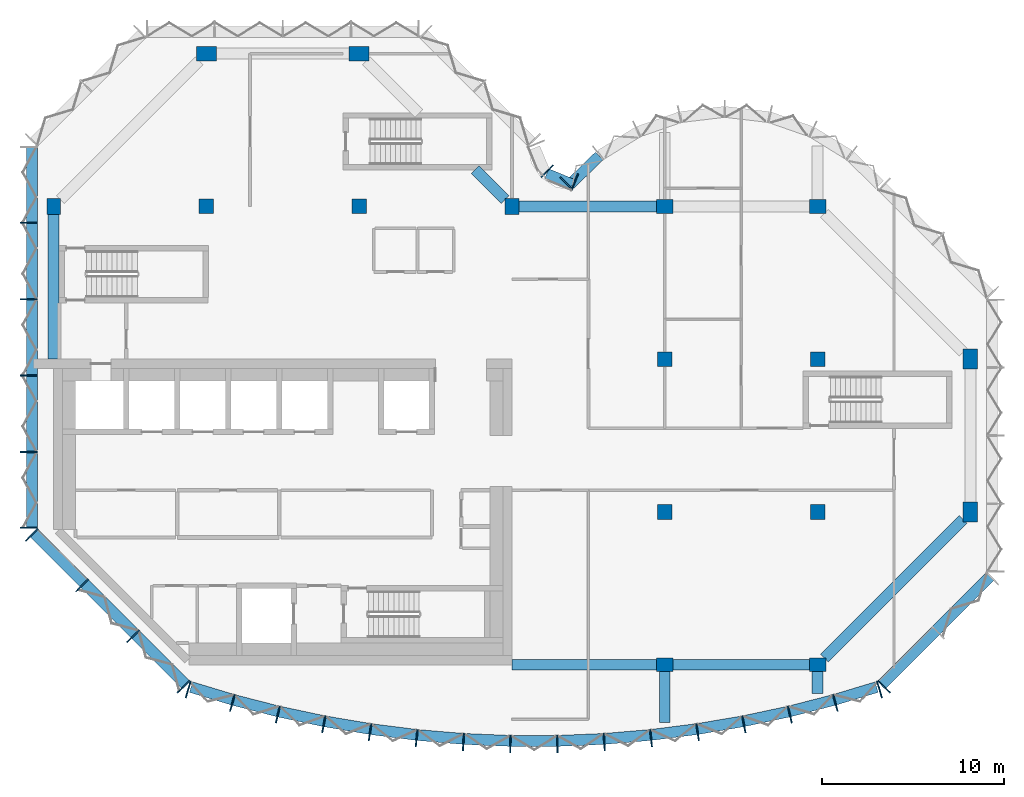
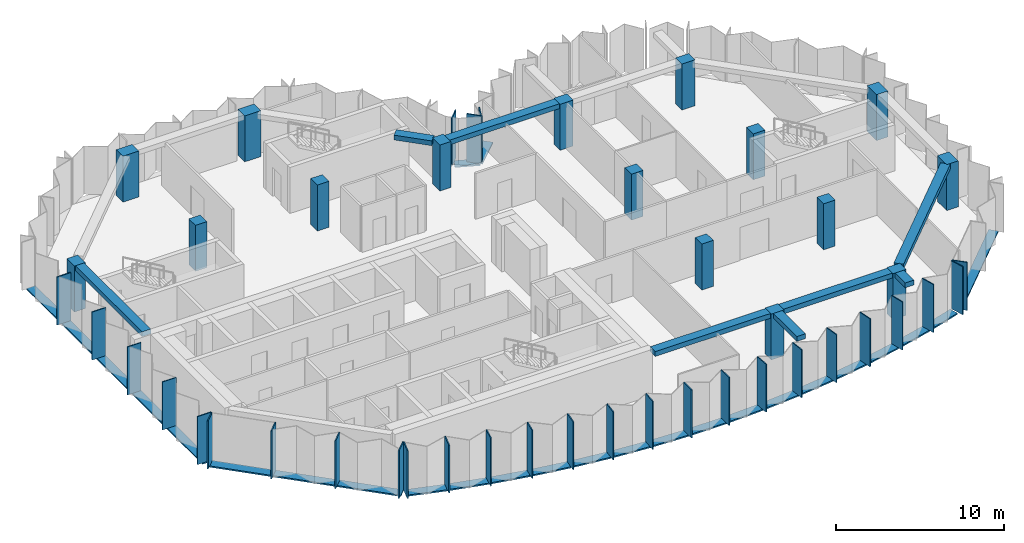
# One storey, part 1 of 9: 49 members, 16 columns, 8 beams, 6 elements without a shape of their own.
"""IFC4 building model written with IfcOpenShell, lengths in metres."""

from ifc_helpers import new_model, si_unit, direction, frame, origin, origin_2d, place, context, subcontext, project, spatial, rectangle, extrude, material, material_profile, profile_set, type_object, element, aggregate, save


model = new_model("IFC4")

# Units and contexts
model_context = context("Model", 3, precision=1e-05, world=origin(), true_north=direction((0.0, 1.0)))
body_context = subcontext(model_context, "Body", "Model", "MODEL_VIEW")
ifc_project = project(units=[si_unit("LENGTHUNIT", "METRE"), si_unit("AREAUNIT", "SQUARE_METRE"), si_unit("VOLUMEUNIT", "CUBIC_METRE"), si_unit("PLANEANGLEUNIT", "RADIAN"), si_unit("MASSUNIT", "GRAM", prefix="KILO")], contexts=[model_context])

# Site, building, storey
site_placement = place(None, origin())
site = spatial("IfcSite", under=ifc_project, at=site_placement, CompositionType="ELEMENT")
building_placement = place(site_placement, origin())
building = spatial("IfcBuilding", under=site, at=building_placement, Name="Brevane Broadcast Tower", CompositionType="ELEMENT")
storey_placement = place(building_placement, frame((0.0, 0.0, 248.10009765625)))
storey = spatial("IfcBuildingStorey", under=building, at=storey_placement, Name="L63", CompositionType="ELEMENT", Elevation=248.10009765625)

# Columns
ifc_material_1 = material(Name="Concrete C50/60", Category="concrete")
ifc_material_profile_1 = material_profile(ifc_material_1, rectangle(XDim=0.75, YDim=0.89990234375, at=origin_2d()), Name="RC 750x900")
ifc_profile_set_1 = profile_set([ifc_material_profile_1], Name="Concrete C50/60")
column_type_1 = type_object("IfcColumnType", Name="RC COLUMN EDGE 750x900 C50/60", PredefinedType="COLUMN", material=ifc_profile_set_1)
for number, where, z_axis, x_axis, name in (
    (1, (0.0, 25.199951171875, 0.0), (0.0, 0.0, 1.0), (1.0, 0.0, 0.0), "CE14 1/D"),
    (2, (25.199951171875, 25.199951171875, 0.0), (0.0, 0.0, 1.0), (1.0, 0.0, 0.0), "CE14 4/D"),
    (3, (33.60009765625, 0.0, 0.0), (0.0, 0.0, 1.0), (0.0, 1.0, 0.0), "CE14 5/A"),
    (4, (33.60009765625, 25.199951171875, 0.0), (0.0, 0.0, 1.0), (0.0, 1.0, 0.0), "CE14 5/D"),
    (5, (42.0, 0.0, 0.0), (0.0, 0.0, 1.0), (0.0, 1.0, 0.0), "CE14 6/A"),
    (6, (42.0, 25.199951171875, 0.0), (0.0, 0.0, 1.0), (0.0, 1.0, 0.0), "CE14 6/D"),
):
    element("IfcColumn", number, at=place(storey_placement, frame(where, z_axis=z_axis, x_axis=x_axis)), inside=storey, type_object=column_type_1, Name=name, PredefinedType="COLUMN", context=body_context, shape_type="SweptSolid", body=[
        extrude(rectangle(XDim=0.75, YDim=0.89990234375, at=origin_2d()), origin(), (0.0, 0.0, 1.0), 3.349853515625),
    ])
ifc_material_profile_2 = material_profile(ifc_material_1, rectangle(XDim=0.800048828125, YDim=0.800048828125, at=origin_2d()), Name="RC 800x800")
ifc_profile_set_2 = profile_set([ifc_material_profile_2], Name="Concrete C50/60")
column_type_2 = type_object("IfcColumnType", Name="RC COLUMN INTERIOR 800x800 C50/60", PredefinedType="COLUMN", material=ifc_profile_set_2)
for number, where, z_axis, x_axis, name in (
    (7, (8.39990234375, 25.199951171875, 0.0), (0.0, 0.0, 1.0), (1.0, 0.0, 0.0), "CI15 2/D"),
    (8, (16.800048828125, 25.199951171875, 0.0), (0.0, 0.0, 1.0), (1.0, 0.0, 0.0), "CI15 3/D"),
    (9, (33.60009765625, 8.39990234375, 0.0), (0.0, 0.0, 1.0), (1.0, 0.0, 0.0), "CI15 5/B"),
    (10, (33.60009765625, 16.800048828125, 0.0), (0.0, 0.0, 1.0), (1.0, 0.0, 0.0), "CI15 5/C"),
    (11, (42.0, 8.39990234375, 0.0), (0.0, 0.0, 1.0), (1.0, 0.0, 0.0), "CI15 6/B"),
    (12, (42.0, 16.800048828125, 0.0), (0.0, 0.0, 1.0), (1.0, 0.0, 0.0), "CI15 6/C"),
):
    element("IfcColumn", number, at=place(storey_placement, frame(where, z_axis=z_axis, x_axis=x_axis)), inside=storey, type_object=column_type_2, Name=name, PredefinedType="COLUMN", context=body_context, shape_type="SweptSolid", body=[
        extrude(rectangle(XDim=0.800048828125, YDim=0.800048828125, at=origin_2d()), origin(), (0.0, 0.0, 1.0), 3.349853515625),
    ])
ifc_material_profile_3 = material_profile(ifc_material_1, rectangle(XDim=0.800048828125, YDim=1.10009765625, at=origin_2d()), Name="RC 800x1100")
ifc_profile_set_3 = profile_set([ifc_material_profile_3], Name="Concrete C50/60")
column_type_3 = type_object("IfcColumnType", Name="RC COLUMN WING-END 800x1100 C50/60", PredefinedType="COLUMN", material=ifc_profile_set_3)
for number, where, z_axis, x_axis, name in (
    (13, (8.39990234375, 33.60009765625, 0.0), (0.0, 0.0, 1.0), (0.0, 1.0, 0.0), "CW16 2/E"),
    (14, (16.800048828125, 33.60009765625, 0.0), (0.0, 0.0, 1.0), (0.0, 1.0, 0.0), "CW16 3/E"),
    (15, (50.39990234375, 8.39990234375, 0.0), (0.0, 0.0, 1.0), (1.0, 0.0, 0.0), "CW16 7/B"),
    (16, (50.39990234375, 16.800048828125, 0.0), (0.0, 0.0, 1.0), (1.0, 0.0, 0.0), "CW16 7/C"),
):
    element("IfcColumn", number, at=place(storey_placement, frame(where, z_axis=z_axis, x_axis=x_axis)), inside=storey, type_object=column_type_3, Name=name, PredefinedType="COLUMN", context=body_context, shape_type="SweptSolid", body=[
        extrude(rectangle(XDim=0.800048828125, YDim=1.10009765625, at=origin_2d()), origin(), (0.0, 0.0, 1.0), 3.349853515625),
    ])

# Curtain wall, members
ifc_material_2 = material(Name="Aluminium 6063-T6 bronze anodised", Category="aluminium")
curtain_wall_type = type_object("IfcCurtainWallType", Name="CW-1 curtain wall", PredefinedType="NOTDEFINED", material=ifc_material_2)
curtain_wall_1_placement = place(storey_placement, origin())
curtain_wall_1 = element("IfcCurtainWall", 17, at=curtain_wall_1_placement, inside=storey, type_object=curtain_wall_type, Name="CW-1 typical tilted unit L63 south bow", PredefinedType="NOTDEFINED")
ifc_material_profile_4 = material_profile(ifc_material_2, rectangle(XDim=0.949951171875, YDim=0.070068359375, at=origin_2d()), Name="RECT 70x950")
ifc_profile_set_4 = profile_set([ifc_material_profile_4], Name="Aluminium 6063-T6 bronze anodised")
member_type_1 = type_object("IfcMemberType", Name="CW-1 mullion 70x950", PredefinedType="MULLION", material=ifc_profile_set_4)
member_1_placement = place(storey_placement, frame((7.396240234375, -1.36474609375, -0.150146484375), z_axis=(0.0, 0.0, 1.0), x_axis=(0.288968122518, 0.957338719664, 0.0)))
member_1 = element("IfcMember", 18, at=member_1_placement, type_object=member_type_1, Name="CW-1 mullion", PredefinedType="MULLION", context=body_context, shape_type="SweptSolid", body=[
    extrude(rectangle(XDim=0.949951171875, YDim=0.070068359375, at=origin_2d()), origin(), (0.0, 0.0, 1.0), 3.5),
])
member_2_placement = place(storey_placement, frame((9.824951171875, -2.097900390625, -0.150146484375), z_axis=(0.0, 0.0, 1.0), x_axis=(0.268915519935, 0.963163767559, 0.0)))
member_2 = element("IfcMember", 19, at=member_2_placement, type_object=member_type_1, Name="CW-1 mullion", PredefinedType="MULLION", context=body_context, shape_type="SweptSolid", body=[
    extrude(rectangle(XDim=0.949951171875, YDim=0.070068359375, at=origin_2d()), origin(), (0.0, 0.0, 1.0), 3.5),
])
member_3_placement = place(storey_placement, frame((12.325439453125, -2.739990234375, -0.150146484375), z_axis=(0.0, 0.0, 1.0), x_axis=(0.228467410001, 0.97355156133, 0.0)))
member_3 = element("IfcMember", 20, at=member_3_placement, type_object=member_type_1, Name="CW-1 mullion", PredefinedType="MULLION", context=body_context, shape_type="SweptSolid", body=[
    extrude(rectangle(XDim=0.949951171875, YDim=0.070068359375, at=origin_2d()), origin(), (0.0, 0.0, 1.0), 3.5),
])
member_4_placement = place(storey_placement, frame((14.8505859375, -3.277099609375, -0.150146484375), z_axis=(0.0, 0.0, 1.0), x_axis=(0.187620976959, 0.982241502384, 0.0)))
member_4 = element("IfcMember", 21, at=member_4_placement, type_object=member_type_1, Name="CW-1 mullion", PredefinedType="MULLION", context=body_context, shape_type="SweptSolid", body=[
    extrude(rectangle(XDim=0.949951171875, YDim=0.070068359375, at=origin_2d()), origin(), (0.0, 0.0, 1.0), 3.5),
])
member_5_placement = place(storey_placement, frame((17.395751953125, -3.70849609375, -0.150146484375), z_axis=(0.0, 0.0, 1.0), x_axis=(0.146447392256, 0.989218459847, 0.0)))
member_5 = element("IfcMember", 22, at=member_5_placement, type_object=member_type_1, Name="CW-1 mullion", PredefinedType="MULLION", context=body_context, shape_type="SweptSolid", body=[
    extrude(rectangle(XDim=0.949951171875, YDim=0.070068359375, at=origin_2d()), origin(), (0.0, 0.0, 1.0), 3.5),
])
member_6_placement = place(storey_placement, frame((19.95703125, -4.033203125, -0.150146484375), z_axis=(0.0, 0.0, 1.0), x_axis=(0.105018395305, 0.994470279419, 0.0)))
member_6 = element("IfcMember", 23, at=member_6_placement, type_object=member_type_1, Name="CW-1 mullion", PredefinedType="MULLION", context=body_context, shape_type="SweptSolid", body=[
    extrude(rectangle(XDim=0.949951171875, YDim=0.070068359375, at=origin_2d()), origin(), (0.0, 0.0, 1.0), 3.5),
])
member_7_placement = place(storey_placement, frame((22.529296875, -4.250732421875, -0.150146484375), z_axis=(0.0, 0.0, 1.0), x_axis=(0.063406169479, 0.99798780437, 0.0)))
member_7 = element("IfcMember", 24, at=member_7_placement, type_object=member_type_1, Name="CW-1 mullion", PredefinedType="MULLION", context=body_context, shape_type="SweptSolid", body=[
    extrude(rectangle(XDim=0.949951171875, YDim=0.070068359375, at=origin_2d()), origin(), (0.0, 0.0, 1.0), 3.5),
])
member_8_placement = place(storey_placement, frame((25.10888671875, -4.360595703125, -0.150146484375), z_axis=(0.0, 0.0, 1.0), x_axis=(0.021281828243, 0.999773516246, 0.0)))
member_8 = element("IfcMember", 25, at=member_8_placement, type_object=member_type_1, Name="CW-1 mullion", PredefinedType="MULLION", context=body_context, shape_type="SweptSolid", body=[
    extrude(rectangle(XDim=0.949951171875, YDim=0.070068359375, at=origin_2d()), origin(), (0.0, 0.0, 1.0), 3.5),
])
member_9_placement = place(storey_placement, frame((27.691162109375, -4.360595703125, -0.150146484375), z_axis=(0.0, 0.0, 1.0), x_axis=(-0.021281828243, 0.999773516246, 0.0)))
member_9 = element("IfcMember", 26, at=member_9_placement, type_object=member_type_1, Name="CW-1 mullion", PredefinedType="MULLION", context=body_context, shape_type="SweptSolid", body=[
    extrude(rectangle(XDim=0.949951171875, YDim=0.070068359375, at=origin_2d()), origin(), (0.0, 0.0, 1.0), 3.5),
])
member_10_placement = place(storey_placement, frame((30.2705078125, -4.250732421875, -0.150146484375), z_axis=(0.0, 0.0, 1.0), x_axis=(-0.063406169479, 0.99798780437, 0.0)))
member_10 = element("IfcMember", 27, at=member_10_placement, type_object=member_type_1, Name="CW-1 mullion", PredefinedType="MULLION", context=body_context, shape_type="SweptSolid", body=[
    extrude(rectangle(XDim=0.949951171875, YDim=0.070068359375, at=origin_2d()), origin(), (0.0, 0.0, 1.0), 3.5),
])
member_11_placement = place(storey_placement, frame((32.843017578125, -4.033203125, -0.150146484375), z_axis=(0.0, 0.0, 1.0), x_axis=(-0.105018395305, 0.994470279419, 0.0)))
member_11 = element("IfcMember", 28, at=member_11_placement, type_object=member_type_1, Name="CW-1 mullion", PredefinedType="MULLION", context=body_context, shape_type="SweptSolid", body=[
    extrude(rectangle(XDim=0.949951171875, YDim=0.070068359375, at=origin_2d()), origin(), (0.0, 0.0, 1.0), 3.5),
])
member_12_placement = place(storey_placement, frame((35.404296875, -3.70849609375, -0.150146484375), z_axis=(0.0, 0.0, 1.0), x_axis=(-0.146447392256, 0.989218459847, 0.0)))
member_12 = element("IfcMember", 29, at=member_12_placement, type_object=member_type_1, Name="CW-1 mullion", PredefinedType="MULLION", context=body_context, shape_type="SweptSolid", body=[
    extrude(rectangle(XDim=0.949951171875, YDim=0.070068359375, at=origin_2d()), origin(), (0.0, 0.0, 1.0), 3.5),
])
member_13_placement = place(storey_placement, frame((37.949462890625, -3.277099609375, -0.150146484375), z_axis=(0.0, 0.0, 1.0), x_axis=(-0.187620976959, 0.982241502384, 0.0)))
member_13 = element("IfcMember", 30, at=member_13_placement, type_object=member_type_1, Name="CW-1 mullion", PredefinedType="MULLION", context=body_context, shape_type="SweptSolid", body=[
    extrude(rectangle(XDim=0.949951171875, YDim=0.070068359375, at=origin_2d()), origin(), (0.0, 0.0, 1.0), 3.5),
])
member_14_placement = place(storey_placement, frame((40.474609375, -2.739990234375, -0.150146484375), z_axis=(0.0, 0.0, 1.0), x_axis=(-0.228467410001, 0.97355156133, 0.0)))
member_14 = element("IfcMember", 31, at=member_14_placement, type_object=member_type_1, Name="CW-1 mullion", PredefinedType="MULLION", context=body_context, shape_type="SweptSolid", body=[
    extrude(rectangle(XDim=0.949951171875, YDim=0.070068359375, at=origin_2d()), origin(), (0.0, 0.0, 1.0), 3.5),
])
member_15_placement = place(storey_placement, frame((42.97509765625, -2.097900390625, -0.150146484375), z_axis=(0.0, 0.0, 1.0), x_axis=(-0.268915519935, 0.963163767559, 0.0)))
member_15 = element("IfcMember", 32, at=member_15_placement, type_object=member_type_1, Name="CW-1 mullion", PredefinedType="MULLION", context=body_context, shape_type="SweptSolid", body=[
    extrude(rectangle(XDim=0.949951171875, YDim=0.070068359375, at=origin_2d()), origin(), (0.0, 0.0, 1.0), 3.5),
])
member_16_placement = place(storey_placement, frame((45.40380859375, -1.36474609375, -0.150146484375), z_axis=(0.0, 0.0, 1.0), x_axis=(-0.288968122518, 0.957338719664, 0.0)))
member_16 = element("IfcMember", 33, at=member_16_placement, type_object=member_type_1, Name="CW-1 mullion", PredefinedType="MULLION", context=body_context, shape_type="SweptSolid", body=[
    extrude(rectangle(XDim=0.949951171875, YDim=0.070068359375, at=origin_2d()), origin(), (0.0, 0.0, 1.0), 3.5),
])

# Curtain wall, member
curtain_wall_2_placement = place(storey_placement, origin())
curtain_wall_2 = element("IfcCurtainWall", 34, at=curtain_wall_2_placement, inside=storey, type_object=curtain_wall_type, Name="CW-1 typical tilted unit L63 south-east chamfer", PredefinedType="NOTDEFINED")
member_17_placement = place(storey_placement, frame((45.66064453125, -1.211181640625, -0.150146484375), z_axis=(0.0, 0.0, 1.0), x_axis=(-0.707106781187, 0.707106781187, 0.0)))
member_17 = element("IfcMember", 35, at=member_17_placement, type_object=member_type_1, Name="CW-1 mullion", PredefinedType="MULLION", context=body_context, shape_type="SweptSolid", body=[
    extrude(rectangle(XDim=0.949951171875, YDim=0.070068359375, at=origin_2d()), origin(), (0.0, 0.0, 1.0), 3.5),
])

curtain_wall_3_placement = place(storey_placement, origin())
curtain_wall_3 = element("IfcCurtainWall", 36, at=curtain_wall_3_placement, inside=storey, type_object=curtain_wall_type, Name="CW-1 typical tilted unit L63 east bow", PredefinedType="NOTDEFINED")
member_18_placement = place(storey_placement, frame((28.194091796875, 26.465087890625, -0.150146484375), z_axis=(0.0, 0.0, 1.0), x_axis=(0.696812089895, -0.717253728729, 0.0)))
member_18 = element("IfcMember", 37, at=member_18_placement, type_object=member_type_1, Name="CW-1 mullion", PredefinedType="MULLION", context=body_context, shape_type="SweptSolid", body=[
    extrude(rectangle(XDim=0.949951171875, YDim=0.070068359375, at=origin_2d()), origin(), (0.0, 0.0, 1.0), 3.5),
])

# Curtain wall, members
curtain_wall_4_placement = place(storey_placement, origin())
curtain_wall_4 = element("IfcCurtainWall", 38, at=curtain_wall_4_placement, inside=storey, type_object=curtain_wall_type, Name="CW-1 typical tilted unit L63 inner corner", PredefinedType="NOTDEFINED")
member_19_placement = place(storey_placement, frame((28.6494140625, 26.55224609375, -0.150146484375), z_axis=(0.0, 0.0, 1.0), x_axis=(-0.382683432365, -0.923879532511, 0.0)))
member_19 = element("IfcMember", 39, at=member_19_placement, type_object=member_type_1, Name="CW-1 mullion", PredefinedType="MULLION", context=body_context, shape_type="SweptSolid", body=[
    extrude(rectangle(XDim=0.949951171875, YDim=0.070068359375, at=origin_2d()), origin(), (0.0, 0.0, 1.0), 3.5),
])
member_20_placement = place(storey_placement, frame((27.138916015625, 27.138916015625, -0.150146484375), z_axis=(0.0, 0.0, 1.0), x_axis=(-0.707106781187, -0.707106781187, 0.0)))
member_20 = element("IfcMember", 40, at=member_20_placement, type_object=member_type_1, Name="CW-1 mullion", PredefinedType="MULLION", context=body_context, shape_type="SweptSolid", body=[
    extrude(rectangle(XDim=0.949951171875, YDim=0.070068359375, at=origin_2d()), origin(), (0.0, 0.0, 1.0), 3.5),
])

curtain_wall_5_placement = place(storey_placement, origin())
curtain_wall_5 = element("IfcCurtainWall", 41, at=curtain_wall_5_placement, inside=storey, type_object=curtain_wall_type, Name="CW-1 typical tilted unit L63 west face", PredefinedType="NOTDEFINED")
member_21_placement = place(storey_placement, frame((-1.375, 24.300048828125, -0.150146484375), z_axis=(0.0, 0.0, 1.0), x_axis=(1.0, 0.0, 0.0)))
member_21 = element("IfcMember", 42, at=member_21_placement, type_object=member_type_1, Name="CW-1 mullion", PredefinedType="MULLION", context=body_context, shape_type="SweptSolid", body=[
    extrude(rectangle(XDim=0.949951171875, YDim=0.070068359375, at=origin_2d()), origin(), (0.0, 0.0, 1.0), 3.5),
])
member_22_placement = place(storey_placement, frame((-1.375, 20.10009765625, -0.150146484375), z_axis=(0.0, 0.0, 1.0), x_axis=(1.0, 0.0, 0.0)))
member_22 = element("IfcMember", 43, at=member_22_placement, type_object=member_type_1, Name="CW-1 mullion", PredefinedType="MULLION", context=body_context, shape_type="SweptSolid", body=[
    extrude(rectangle(XDim=0.949951171875, YDim=0.070068359375, at=origin_2d()), origin(), (0.0, 0.0, 1.0), 3.5),
])
member_23_placement = place(storey_placement, frame((-1.375, 15.89990234375, -0.150146484375), z_axis=(0.0, 0.0, 1.0), x_axis=(1.0, 0.0, 0.0)))
member_23 = element("IfcMember", 44, at=member_23_placement, type_object=member_type_1, Name="CW-1 mullion", PredefinedType="MULLION", context=body_context, shape_type="SweptSolid", body=[
    extrude(rectangle(XDim=0.949951171875, YDim=0.070068359375, at=origin_2d()), origin(), (0.0, 0.0, 1.0), 3.5),
])
member_24_placement = place(storey_placement, frame((-1.375, 11.699951171875, -0.150146484375), z_axis=(0.0, 0.0, 1.0), x_axis=(1.0, 0.0, 0.0)))
member_24 = element("IfcMember", 45, at=member_24_placement, type_object=member_type_1, Name="CW-1 mullion", PredefinedType="MULLION", context=body_context, shape_type="SweptSolid", body=[
    extrude(rectangle(XDim=0.949951171875, YDim=0.070068359375, at=origin_2d()), origin(), (0.0, 0.0, 1.0), 3.5),
])
member_25_placement = place(storey_placement, frame((-1.375, 7.534912109375, -0.150146484375), z_axis=(0.0, 0.0, 1.0), x_axis=(1.0, 0.0, 0.0)))
member_25 = element("IfcMember", 46, at=member_25_placement, type_object=member_type_1, Name="CW-1 mullion", PredefinedType="MULLION", context=body_context, shape_type="SweptSolid", body=[
    extrude(rectangle(XDim=0.949951171875, YDim=0.070068359375, at=origin_2d()), origin(), (0.0, 0.0, 1.0), 3.5),
])

curtain_wall_6_placement = place(storey_placement, origin())
curtain_wall_6 = element("IfcCurtainWall", 47, at=curtain_wall_6_placement, inside=storey, type_object=curtain_wall_type, Name="CW-1 typical tilted unit L63 south-west chamfer", PredefinedType="NOTDEFINED")
member_26_placement = place(storey_placement, frame((-1.211181640625, 7.139404296875, -0.150146484375), z_axis=(0.0, 0.0, 1.0), x_axis=(0.707106781187, 0.707106781187, 0.0)))
member_26 = element("IfcMember", 48, at=member_26_placement, type_object=member_type_1, Name="CW-1 mullion", PredefinedType="MULLION", context=body_context, shape_type="SweptSolid", body=[
    extrude(rectangle(XDim=0.949951171875, YDim=0.070068359375, at=origin_2d()), origin(), (0.0, 0.0, 1.0), 3.5),
])
member_27_placement = place(storey_placement, frame((1.564208984375, 4.364013671875, -0.150146484375), z_axis=(0.0, 0.0, 1.0), x_axis=(0.707106781187, 0.707106781187, 0.0)))
member_27 = element("IfcMember", 49, at=member_27_placement, type_object=member_type_1, Name="CW-1 mullion", PredefinedType="MULLION", context=body_context, shape_type="SweptSolid", body=[
    extrude(rectangle(XDim=0.949951171875, YDim=0.070068359375, at=origin_2d()), origin(), (0.0, 0.0, 1.0), 3.5),
])
member_28_placement = place(storey_placement, frame((4.364013671875, 1.564208984375, -0.150146484375), z_axis=(0.0, 0.0, 1.0), x_axis=(0.707106781187, 0.707106781187, 0.0)))
member_28 = element("IfcMember", 50, at=member_28_placement, type_object=member_type_1, Name="CW-1 mullion", PredefinedType="MULLION", context=body_context, shape_type="SweptSolid", body=[
    extrude(rectangle(XDim=0.949951171875, YDim=0.070068359375, at=origin_2d()), origin(), (0.0, 0.0, 1.0), 3.5),
])
member_29_placement = place(storey_placement, frame((7.139404296875, -1.211181640625, -0.150146484375), z_axis=(0.0, 0.0, 1.0), x_axis=(0.707106781187, 0.707106781187, 0.0)))
member_29 = element("IfcMember", 51, at=member_29_placement, type_object=member_type_1, Name="CW-1 mullion", PredefinedType="MULLION", context=body_context, shape_type="SweptSolid", body=[
    extrude(rectangle(XDim=0.949951171875, YDim=0.070068359375, at=origin_2d()), origin(), (0.0, 0.0, 1.0), 3.5),
])

# Member
ifc_material_profile_5 = material_profile(ifc_material_2, rectangle(XDim=0.60009765625, YDim=0.10009765625, at=origin_2d()), Name="RECT 100x600")
ifc_profile_set_5 = profile_set([ifc_material_profile_5], Name="Aluminium 6063-T6 bronze anodised")
member_type_2 = type_object("IfcMemberType", Name="CW-1 transom 100x600", PredefinedType="USERDEFINED", material=ifc_profile_set_5)
member_30_placement = place(storey_placement, frame((7.553955078125, -1.229736328125, -0.2001953125), z_axis=(0.957362578524, -0.288889067362, 0.0), x_axis=(0.288889067362, 0.957362578524, 0.0)))
member_30 = element("IfcMember", 52, at=member_30_placement, type_object=member_type_2, Name="CW-1 transom", ObjectType="TRANSOM", PredefinedType="USERDEFINED", context=body_context, shape_type="SweptSolid", body=[
    extrude(rectangle(XDim=0.60009765625, YDim=0.10009765625, at=origin_2d()), origin(), (0.0, 0.0, 1.0), 2.411865234375),
])

member_31_placement = place(storey_placement, frame((9.8759765625, -1.930419921875, -0.2001953125), z_axis=(0.968569727699, -0.248742201052, 0.0), x_axis=(0.248742201052, 0.968569727699, 0.0)))
member_31 = element("IfcMember", 53, at=member_31_placement, type_object=member_type_2, Name="CW-1 transom", ObjectType="TRANSOM", PredefinedType="USERDEFINED", context=body_context, shape_type="SweptSolid", body=[
    extrude(rectangle(XDim=0.60009765625, YDim=0.10009765625, at=origin_2d()), origin(), (0.0, 0.0, 1.0), 2.561767578125),
])

member_32_placement = place(storey_placement, frame((12.370361328125, -2.57080078125, -0.2001953125), z_axis=(0.978117897278, -0.208051385536, 0.0), x_axis=(0.208051385536, 0.978117897278, 0.0)))
member_32 = element("IfcMember", 54, at=member_32_placement, type_object=member_type_2, Name="CW-1 transom", ObjectType="TRANSOM", PredefinedType="USERDEFINED", context=body_context, shape_type="SweptSolid", body=[
    extrude(rectangle(XDim=0.60009765625, YDim=0.10009765625, at=origin_2d()), origin(), (0.0, 0.0, 1.0), 2.561767578125),
])

member_33_placement = place(storey_placement, frame((14.88916015625, -3.1064453125, -0.2001953125), z_axis=(0.985947338221, -0.167056416383, 0.0), x_axis=(0.167056416383, 0.985947338221, 0.0)))
member_33 = element("IfcMember", 55, at=member_33_placement, type_object=member_type_2, Name="CW-1 transom", ObjectType="TRANSOM", PredefinedType="USERDEFINED", context=body_context, shape_type="SweptSolid", body=[
    extrude(rectangle(XDim=0.60009765625, YDim=0.10009765625, at=origin_2d()), origin(), (0.0, 0.0, 1.0), 2.561767578125),
])

member_34_placement = place(storey_placement, frame((17.428466796875, -3.536376953125, -0.2001953125), z_axis=(0.99206678005, -0.12571198798, 0.0), x_axis=(0.12571198798, 0.99206678005, 0.0)))
member_34 = element("IfcMember", 56, at=member_34_placement, type_object=member_type_2, Name="CW-1 transom", ObjectType="TRANSOM", PredefinedType="USERDEFINED", context=body_context, shape_type="SweptSolid", body=[
    extrude(rectangle(XDim=0.60009765625, YDim=0.10009765625, at=origin_2d()), origin(), (0.0, 0.0, 1.0), 2.5615234375),
])

member_35_placement = place(storey_placement, frame((19.983154296875, -3.85986328125, -0.2001953125), z_axis=(0.99644513768, -0.084244214012, 0.0), x_axis=(0.084244214012, 0.99644513768, 0.0)))
member_35 = element("IfcMember", 57, at=member_35_placement, type_object=member_type_2, Name="CW-1 transom", ObjectType="TRANSOM", PredefinedType="USERDEFINED", context=body_context, shape_type="SweptSolid", body=[
    extrude(rectangle(XDim=0.60009765625, YDim=0.10009765625, at=origin_2d()), origin(), (0.0, 0.0, 1.0), 2.561767578125),
])

member_36_placement = place(storey_placement, frame((22.54931640625, -4.076416015625, -0.2001953125), z_axis=(0.999092306129, -0.042597697524, 0.0), x_axis=(0.042597697524, 0.999092306129, 0.0)))
member_36 = element("IfcMember", 58, at=member_36_placement, type_object=member_type_2, Name="CW-1 transom", ObjectType="TRANSOM", PredefinedType="USERDEFINED", context=body_context, shape_type="SweptSolid", body=[
    extrude(rectangle(XDim=0.60009765625, YDim=0.10009765625, at=origin_2d()), origin(), (0.0, 0.0, 1.0), 2.56201171875),
])

member_37_placement = place(storey_placement, frame((25.122314453125, -4.185546875, -0.2001953125), z_axis=(1.0, 0.0, 0.0), x_axis=(0.0, 1.0, 0.0)))
member_37 = element("IfcMember", 59, at=member_37_placement, type_object=member_type_2, Name="CW-1 transom", ObjectType="TRANSOM", PredefinedType="USERDEFINED", context=body_context, shape_type="SweptSolid", body=[
    extrude(rectangle(XDim=0.60009765625, YDim=0.10009765625, at=origin_2d()), origin(), (0.0, 0.0, 1.0), 2.56201171875),
])

member_38_placement = place(storey_placement, frame((27.691162109375, -4.185546875, -0.2001953125), z_axis=(0.999092133182, 0.042601753652, 0.0), x_axis=(-0.042601753652, 0.999092133182, 0.0)))
member_38 = element("IfcMember", 60, at=member_38_placement, type_object=member_type_2, Name="CW-1 transom", ObjectType="TRANSOM", PredefinedType="USERDEFINED", context=body_context, shape_type="SweptSolid", body=[
    extrude(rectangle(XDim=0.60009765625, YDim=0.10009765625, at=origin_2d()), origin(), (0.0, 0.0, 1.0), 2.561767578125),
])

member_39_placement = place(storey_placement, frame((30.26416015625, -4.07568359375, -0.2001953125), z_axis=(0.99644513768, 0.084244214012, 0.0), x_axis=(-0.084244214012, 0.99644513768, 0.0)))
member_39 = element("IfcMember", 61, at=member_39_placement, type_object=member_type_2, Name="CW-1 transom", ObjectType="TRANSOM", PredefinedType="USERDEFINED", context=body_context, shape_type="SweptSolid", body=[
    extrude(rectangle(XDim=0.60009765625, YDim=0.10009765625, at=origin_2d()), origin(), (0.0, 0.0, 1.0), 2.561767578125),
])

member_40_placement = place(storey_placement, frame((32.830322265625, -3.8583984375, -0.2001953125), z_axis=(0.99206678005, 0.12571198798, 0.0), x_axis=(-0.12571198798, 0.99206678005, 0.0)))
member_40 = element("IfcMember", 62, at=member_40_placement, type_object=member_type_2, Name="CW-1 transom", ObjectType="TRANSOM", PredefinedType="USERDEFINED", context=body_context, shape_type="SweptSolid", body=[
    extrude(rectangle(XDim=0.60009765625, YDim=0.10009765625, at=origin_2d()), origin(), (0.0, 0.0, 1.0), 2.5615234375),
])

member_41_placement = place(storey_placement, frame((35.385009765625, -3.534423828125, -0.2001953125), z_axis=(0.9859446783, 0.167072114167, 0.0), x_axis=(-0.167072114167, 0.9859446783, 0.0)))
member_41 = element("IfcMember", 63, at=member_41_placement, type_object=member_type_2, Name="CW-1 transom", ObjectType="TRANSOM", PredefinedType="USERDEFINED", context=body_context, shape_type="SweptSolid", body=[
    extrude(rectangle(XDim=0.60009765625, YDim=0.10009765625, at=origin_2d()), origin(), (0.0, 0.0, 1.0), 2.5615234375),
])

member_42_placement = place(storey_placement, frame((37.924072265625, -3.103759765625, -0.2001953125), z_axis=(0.978117897278, 0.208051385536, 0.0), x_axis=(-0.208051385536, 0.978117897278, 0.0)))
member_42 = element("IfcMember", 64, at=member_42_placement, type_object=member_type_2, Name="CW-1 transom", ObjectType="TRANSOM", PredefinedType="USERDEFINED", context=body_context, shape_type="SweptSolid", body=[
    extrude(rectangle(XDim=0.60009765625, YDim=0.10009765625, at=origin_2d()), origin(), (0.0, 0.0, 1.0), 2.561767578125),
])

member_43_placement = place(storey_placement, frame((40.44287109375, -2.567626953125, -0.2001953125), z_axis=(0.968569727699, 0.248742201052, 0.0), x_axis=(-0.248742201052, 0.968569727699, 0.0)))
member_43 = element("IfcMember", 65, at=member_43_placement, type_object=member_type_2, Name="CW-1 transom", ObjectType="TRANSOM", PredefinedType="USERDEFINED", context=body_context, shape_type="SweptSolid", body=[
    extrude(rectangle(XDim=0.60009765625, YDim=0.10009765625, at=origin_2d()), origin(), (0.0, 0.0, 1.0), 2.561767578125),
])

member_44_placement = place(storey_placement, frame((42.93701171875, -1.926513671875, -0.2001953125), z_axis=(0.957362578524, 0.288889067362, 0.0), x_axis=(-0.288889067362, 0.957362578524, 0.0)))
member_44 = element("IfcMember", 66, at=member_44_placement, type_object=member_type_2, Name="CW-1 transom", ObjectType="TRANSOM", PredefinedType="USERDEFINED", context=body_context, shape_type="SweptSolid", body=[
    extrude(rectangle(XDim=0.60009765625, YDim=0.10009765625, at=origin_2d()), origin(), (0.0, 0.0, 1.0), 2.411865234375),
])

aggregate(curtain_wall_1, [member_1, member_2, member_3, member_4, member_5, member_6, member_7, member_8, member_9, member_10, member_11, member_12, member_13, member_14, member_15, member_16, member_30, member_31, member_32, member_33, member_34, member_35, member_36, member_37, member_38, member_39, member_40, member_41, member_42, member_43, member_44])

member_45_placement = place(storey_placement, frame((45.51220703125, -1.112060546875, -0.2001953125), z_axis=(0.707106781187, 0.707106781187, 0.0), x_axis=(-0.707106781187, 0.707106781187, 0.0)))
member_45 = element("IfcMember", 67, at=member_45_placement, type_object=member_type_2, Name="CW-1 transom", ObjectType="TRANSOM", PredefinedType="USERDEFINED", context=body_context, shape_type="SweptSolid", body=[
    extrude(rectangle(XDim=0.60009765625, YDim=0.10009765625, at=origin_2d()), origin(), (0.0, 0.0, 1.0), 8.4853515625),
])

aggregate(curtain_wall_2, [member_17, member_45])

member_46_placement = place(storey_placement, frame((29.99951171875, 27.974365234375, -0.2001953125), z_axis=(-0.71724215871, -0.696823999134, 0.0), x_axis=(0.696823999134, -0.71724215871, 0.0)))
member_46 = element("IfcMember", 68, at=member_46_placement, type_object=member_type_2, Name="CW-1 transom", ObjectType="TRANSOM", PredefinedType="USERDEFINED", context=body_context, shape_type="SweptSolid", body=[
    extrude(rectangle(XDim=0.60009765625, YDim=0.10009765625, at=origin_2d()), origin(), (0.0, 0.0, 1.0), 2.247802734375),
])

aggregate(curtain_wall_3, [member_18, member_46])

member_47_placement = place(storey_placement, frame((28.528076171875, 26.40673828125, -0.2001953125), z_axis=(-0.923883243627, 0.382674472816, 0.0), x_axis=(-0.382674472816, -0.923883243627, 0.0)))
member_47 = element("IfcMember", 69, at=member_47_placement, type_object=member_type_2, Name="CW-1 transom", ObjectType="TRANSOM", PredefinedType="USERDEFINED", context=body_context, shape_type="SweptSolid", body=[
    extrude(rectangle(XDim=0.60009765625, YDim=0.10009765625, at=origin_2d()), origin(), (0.0, 0.0, 1.0), 1.536865234375),
])

aggregate(curtain_wall_4, [member_19, member_20, member_47])

member_48_placement = place(storey_placement, frame((-1.199951171875, 28.5, -0.2001953125), z_axis=(0.0, -1.0, 0.0), x_axis=(1.0, 0.0, 0.0)))
member_48 = element("IfcMember", 70, at=member_48_placement, type_object=member_type_2, Name="CW-1 transom", ObjectType="TRANSOM", PredefinedType="USERDEFINED", context=body_context, shape_type="SweptSolid", body=[
    extrude(rectangle(XDim=0.60009765625, YDim=0.10009765625, at=origin_2d()), origin(), (0.0, 0.0, 1.0), 21.0),
])

aggregate(curtain_wall_5, [member_21, member_22, member_23, member_24, member_25, member_48])

member_49_placement = place(storey_placement, frame((-1.112060546875, 7.287841796875, -0.2001953125), z_axis=(0.707106781187, -0.707106781187, 0.0), x_axis=(0.707106781187, 0.707106781187, 0.0)))
member_49 = element("IfcMember", 71, at=member_49_placement, type_object=member_type_2, Name="CW-1 transom", ObjectType="TRANSOM", PredefinedType="USERDEFINED", context=body_context, shape_type="SweptSolid", body=[
    extrude(rectangle(XDim=0.60009765625, YDim=0.10009765625, at=origin_2d()), origin(), (0.0, 0.0, 1.0), 11.879150390625),
])

aggregate(curtain_wall_6, [member_26, member_27, member_28, member_29, member_49])

# Beams
ifc_material_3 = material(Name="Concrete C40/50", Category="concrete")
ifc_material_profile_6 = material_profile(ifc_material_3, rectangle(XDim=0.60009765625, YDim=0.35009765625, at=origin_2d()), Name="RC 600x350")
ifc_profile_set_6 = profile_set([ifc_material_profile_6], Name="Concrete C40/50")
beam_type_1 = type_object("IfcBeamType", Name="RC BRACKET BEAM 600x350 C40/50", PredefinedType="BEAM", material=ifc_profile_set_6)
beam_1_placement = place(storey_placement, frame((33.60009765625, -0.375, 3.1748046875), z_axis=(0.0, -1.0, 0.0), x_axis=(1.0, 0.0, 0.0)))
element("IfcBeam", 72, at=beam_1_placement, inside=storey, type_object=beam_type_1, Name="EB2 L63-1", PredefinedType="BEAM", context=body_context, shape_type="SweptSolid", body=[
    extrude(rectangle(XDim=0.60009765625, YDim=0.35009765625, at=origin_2d()), origin(), (0.0, 0.0, 1.0), 2.7958984375),
])
beam_2_placement = place(storey_placement, frame((42.0, -0.375, 3.1748046875), z_axis=(0.0, -1.0, 0.0), x_axis=(1.0, 0.0, 0.0)))
element("IfcBeam", 73, at=beam_2_placement, inside=storey, type_object=beam_type_1, Name="EB2 L63-3", PredefinedType="BEAM", context=body_context, shape_type="SweptSolid", body=[
    extrude(rectangle(XDim=0.60009765625, YDim=0.35009765625, at=origin_2d()), origin(), (0.0, 0.0, 1.0), 1.19384765625),
])
ifc_material_profile_7 = material_profile(ifc_material_3, rectangle(XDim=0.60009765625, YDim=0.35009765625, at=origin_2d()), Name="RC 600x350")
ifc_profile_set_7 = profile_set([ifc_material_profile_7], Name="Concrete C40/50")
beam_type_2 = type_object("IfcBeamType", Name="RC SPANDREL BEAM 600x350 C40/50", PredefinedType="SPANDREL", material=ifc_profile_set_7)
beam_3_placement = place(storey_placement, frame((25.199951171875, 0.0, 3.1748046875), z_axis=(1.0, 0.0, 0.0), x_axis=(0.0, 1.0, 0.0)))
element("IfcBeam", 74, at=beam_3_placement, inside=storey, type_object=beam_type_2, Name="EB1 L63-1", PredefinedType="SPANDREL", context=body_context, shape_type="SweptSolid", body=[
    extrude(rectangle(XDim=0.60009765625, YDim=0.35009765625, at=origin_2d()), origin(), (0.0, 0.0, 1.0), 7.949951171875),
])
beam_4_placement = place(storey_placement, frame((34.050048828125, 0.0, 3.1748046875), z_axis=(1.0, 0.0, 0.0), x_axis=(0.0, 1.0, 0.0)))
element("IfcBeam", 75, at=beam_4_placement, inside=storey, type_object=beam_type_2, Name="EB1 L63-2", PredefinedType="SPANDREL", context=body_context, shape_type="SweptSolid", body=[
    extrude(rectangle(XDim=0.60009765625, YDim=0.35009765625, at=origin_2d()), origin(), (0.0, 0.0, 1.0), 7.5),
])
beam_5_placement = place(storey_placement, frame((42.375, 0.375, 3.1748046875), z_axis=(0.707106781187, 0.707106781187, 0.0), x_axis=(-0.707106781187, 0.707106781187, 0.0)))
element("IfcBeam", 76, at=beam_5_placement, inside=storey, type_object=beam_type_2, Name="EB1 L63-3", PredefinedType="SPANDREL", context=body_context, shape_type="SweptSolid", body=[
    extrude(rectangle(XDim=0.60009765625, YDim=0.35009765625, at=origin_2d()), origin(), (0.0, 0.0, 1.0), 10.783447265625),
])
beam_6_placement = place(storey_placement, frame((33.14990234375, 25.199951171875, 3.1748046875), z_axis=(-1.0, 0.0, 0.0), x_axis=(0.0, -1.0, 0.0)))
element("IfcBeam", 77, at=beam_6_placement, inside=storey, type_object=beam_type_2, Name="EB1 L63-7", PredefinedType="SPANDREL", context=body_context, shape_type="SweptSolid", body=[
    extrude(rectangle(XDim=0.60009765625, YDim=0.35009765625, at=origin_2d()), origin(), (0.0, 0.0, 1.0), 7.574951171875),
])
beam_7_placement = place(storey_placement, frame((24.824951171875, 25.574951171875, 3.1748046875), z_axis=(-0.707106781187, 0.707106781187, 0.0), x_axis=(-0.707106781187, -0.707106781187, 0.0)))
element("IfcBeam", 78, at=beam_7_placement, inside=storey, type_object=beam_type_2, Name="EB1 L63-8", PredefinedType="SPANDREL", context=body_context, shape_type="SweptSolid", body=[
    extrude(rectangle(XDim=0.60009765625, YDim=0.35009765625, at=origin_2d()), origin(), (0.0, 0.0, 1.0), 2.340576171875),
])
beam_8_placement = place(storey_placement, frame((0.0, 24.75, 3.1748046875), z_axis=(0.0, -1.0, 0.0), x_axis=(1.0, 0.0, 0.0)))
element("IfcBeam", 79, at=beam_8_placement, inside=storey, type_object=beam_type_2, Name="EB1 L63-11", PredefinedType="SPANDREL", context=body_context, shape_type="SweptSolid", body=[
    extrude(rectangle(XDim=0.60009765625, YDim=0.35009765625, at=origin_2d()), origin(), (0.0, 0.0, 1.0), 7.949951171875),
])

save(model, "model.ifc")
